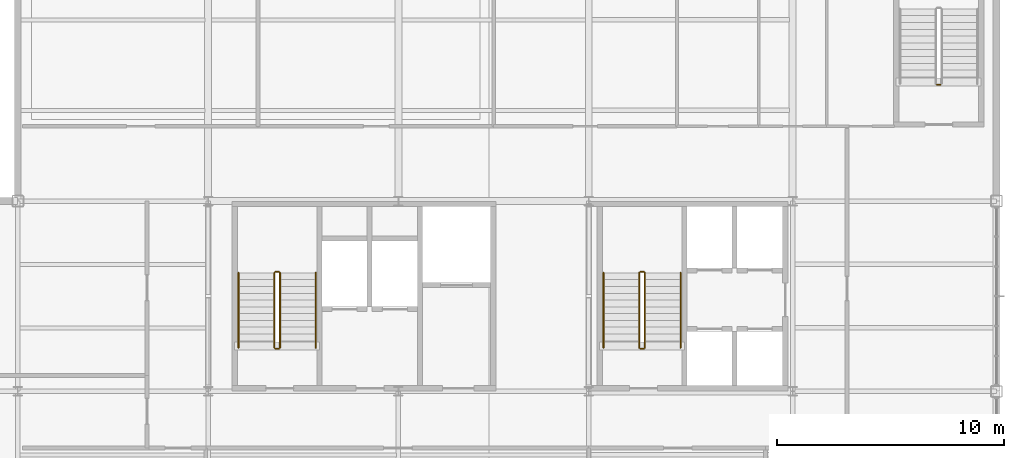
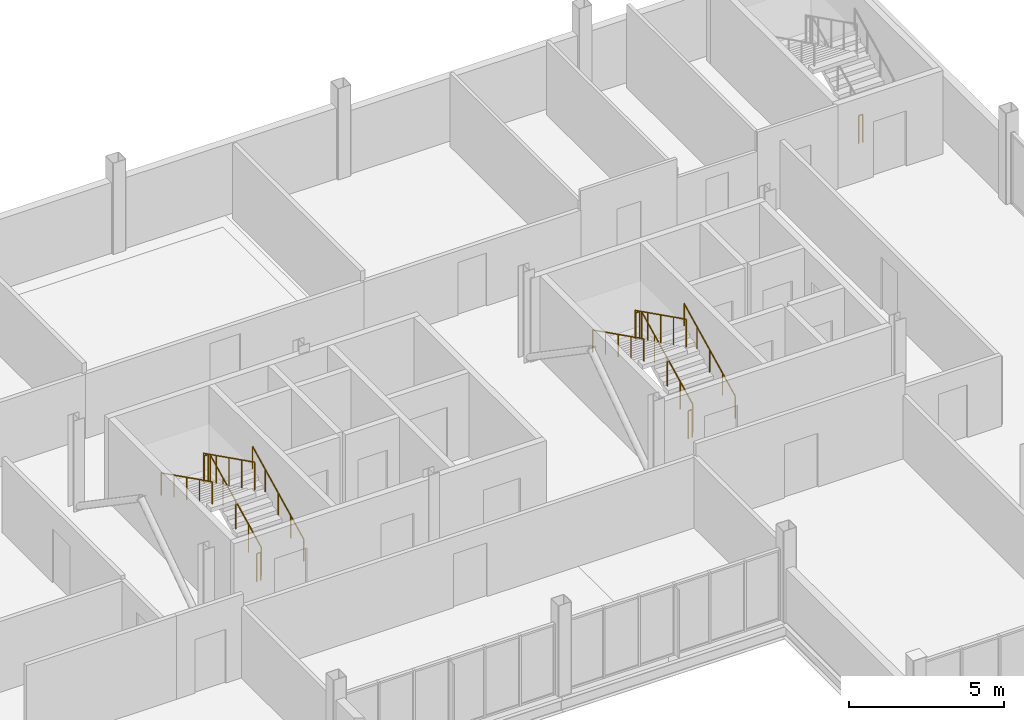
# One storey, part 17 of 19: 13 railings.
"""IFC4 building model written with IfcOpenShell, lengths in metres."""

from ifc_helpers import new_model, si_unit, direction, frame, origin, origin_2d, place, context, subcontext, project, spatial, circle, extrude, material, layer, layer_set, type_object, element, save


model = new_model("IFC4")

# Units and contexts
model_context = context("Model", 3, precision=1e-05, world=origin(), true_north=direction((0.0, 1.0)))
body_context = subcontext(model_context, "Body", "Model", "MODEL_VIEW")
ifc_project = project(units=[si_unit("LENGTHUNIT", "METRE"), si_unit("AREAUNIT", "SQUARE_METRE"), si_unit("VOLUMEUNIT", "CUBIC_METRE"), si_unit("PLANEANGLEUNIT", "RADIAN"), si_unit("MASSUNIT", "GRAM", prefix="KILO")], contexts=[model_context])

# Site, building, storey
site_placement = place(None, origin())
site = spatial("IfcSite", under=ifc_project, at=site_placement, CompositionType="ELEMENT")
building_placement = place(site_placement, origin())
building = spatial("IfcBuilding", under=site, at=building_placement, Name="Yukiwa Park Conservatory and Herbarium", CompositionType="ELEMENT")
storey_placement = place(building_placement, frame((0.0, 0.0, 31.800048828125)))
storey = spatial("IfcBuildingStorey", under=building, at=storey_placement, Name="L08", CompositionType="ELEMENT", Elevation=31.800048828125)

# Railings
ifc_material_1 = material(Name="Steel Q235B", Category="steel")
ifc_layer_1 = layer(ifc_material_1, 0.050048828125)
ifc_layer_set_1 = layer_set([ifc_layer_1], Name="Steel Q235B")
railing_type_1 = type_object("IfcRailingType", Name="RL-STAIR-GUARD-1120", PredefinedType="BALUSTRADE", material=ifc_layer_set_1)
railing_1_placement = place(storey_placement, frame((136.3701171875, 96.72998046875, 0.14990234375)))
element("IfcRailing", 1, at=railing_1_placement, inside=storey, type_object=railing_type_1, Name="L08 ST-T1 stair guard 1", PredefinedType="BALUSTRADE", context=body_context, shape_type="SweptSolid", body=[
    extrude(circle(Radius=0.02392578125, at=origin_2d()), frame((0.0, 0.0, 1.09619140625), z_axis=(0.0, 0.894413956696, 0.447240063129), x_axis=(-1.0, 0.0, 0.0)), (0.0, 0.0, 1.0), 3.689697265625),
    extrude(circle(Radius=0.02099609375, at=origin_2d()), origin(), (0.0, 0.0, 1.0), 1.072021484375),
    extrude(circle(Radius=0.02099609375, at=origin_2d()), frame((0.0, 0.824951171875, 0.41259765625)), (0.0, 0.0, 1.0), 1.072021484375),
    extrude(circle(Radius=0.02099609375, at=origin_2d()), frame((0.0, 1.64990234375, 0.8251953125)), (0.0, 0.0, 1.0), 1.072021484375),
    extrude(circle(Radius=0.02099609375, at=origin_2d()), frame((0.0, 2.47509765625, 1.237548828125)), (0.0, 0.0, 1.0), 1.072021484375),
    extrude(circle(Radius=0.02099609375, at=origin_2d()), frame((0.0, 3.300048828125, 1.650146484375)), (0.0, 0.0, 1.0), 1.072021484375),
])
railing_2_placement = place(storey_placement, frame((136.320068359375, 100.080078125, 1.800048828125)))
element("IfcRailing", 2, at=railing_2_placement, inside=storey, type_object=railing_type_1, Name="L08 ST-T1 stair guard 2", PredefinedType="BALUSTRADE", context=body_context, shape_type="SweptSolid", body=[
    extrude(circle(Radius=0.02392578125, at=origin_2d()), frame((0.0, 0.0, 1.09619140625), z_axis=(-1.0, 0.0, 0.0), x_axis=(0.0, -1.0, 0.0)), (0.0, 0.0, 1.0), 0.150146484375),
    extrude(circle(Radius=0.02099609375, at=origin_2d()), origin(), (0.0, 0.0, 1.0), 1.072021484375),
    extrude(circle(Radius=0.02099609375, at=origin_2d()), frame((-0.150146484375, 0.0, 0.0)), (0.0, 0.0, 1.0), 1.072021484375),
])
railing_3_placement = place(storey_placement, frame((136.1201171875, 100.030029296875, 1.949951171875)))
element("IfcRailing", 3, at=railing_3_placement, inside=storey, type_object=railing_type_1, Name="L08 ST-T1 stair guard 3", PredefinedType="BALUSTRADE", context=body_context, shape_type="SweptSolid", body=[
    extrude(circle(Radius=0.02392578125, at=origin_2d()), frame((0.0, 0.0, 1.09619140625), z_axis=(0.0, -0.894440424912, 0.447187126696), x_axis=(1.0, 0.0, 0.0)), (0.0, 0.0, 1.0), 3.689453125),
    extrude(circle(Radius=0.02099609375, at=origin_2d()), origin(), (0.0, 0.0, 1.0), 1.072021484375),
    extrude(circle(Radius=0.02099609375, at=origin_2d()), frame((0.0, -0.824951171875, 0.41259765625)), (0.0, 0.0, 1.0), 1.072021484375),
    extrude(circle(Radius=0.02099609375, at=origin_2d()), frame((0.0, -1.64990234375, 0.824951171875)), (0.0, 0.0, 1.0), 1.072021484375),
    extrude(circle(Radius=0.02099609375, at=origin_2d()), frame((0.0, -2.47509765625, 1.2373046875)), (0.0, 0.0, 1.0), 1.072021484375),
    extrude(circle(Radius=0.02099609375, at=origin_2d()), frame((0.0, -3.300048828125, 1.64990234375)), (0.0, 0.0, 1.0), 1.072021484375),
])
railing_4_placement = place(storey_placement, frame((136.320068359375, 96.679931640625, 0.0)))
element("IfcRailing", 4, at=railing_4_placement, inside=storey, type_object=railing_type_1, Name="L08 ST-T1 stair guard 4", PredefinedType="BALUSTRADE", context=body_context, shape_type="SweptSolid", body=[
    extrude(circle(Radius=0.02392578125, at=origin_2d()), frame((0.0, 0.0, 1.09619140625), z_axis=(-1.0, 0.0, 0.0), x_axis=(0.0, -1.0, 0.0)), (0.0, 0.0, 1.0), 0.150146484375),
    extrude(circle(Radius=0.02099609375, at=origin_2d()), origin(), (0.0, 0.0, 1.0), 1.072021484375),
    extrude(circle(Radius=0.02099609375, at=origin_2d()), frame((-0.150146484375, 0.0, 0.0)), (0.0, 0.0, 1.0), 1.072021484375),
])
railing_5_placement = place(storey_placement, frame((152.47998046875, 96.72998046875, 0.14990234375)))
element("IfcRailing", 5, at=railing_5_placement, inside=storey, type_object=railing_type_1, Name="L08 ST-T2 stair guard 1", PredefinedType="BALUSTRADE", context=body_context, shape_type="SweptSolid", body=[
    extrude(circle(Radius=0.02392578125, at=origin_2d()), frame((0.0, 0.0, 1.09619140625), z_axis=(0.0, 0.894413956696, 0.447240063129), x_axis=(-1.0, 0.0, 0.0)), (0.0, 0.0, 1.0), 3.689697265625),
    extrude(circle(Radius=0.02099609375, at=origin_2d()), origin(), (0.0, 0.0, 1.0), 1.072021484375),
    extrude(circle(Radius=0.02099609375, at=origin_2d()), frame((0.0, 0.824951171875, 0.41259765625)), (0.0, 0.0, 1.0), 1.072021484375),
    extrude(circle(Radius=0.02099609375, at=origin_2d()), frame((0.0, 1.64990234375, 0.8251953125)), (0.0, 0.0, 1.0), 1.072021484375),
    extrude(circle(Radius=0.02099609375, at=origin_2d()), frame((0.0, 2.47509765625, 1.237548828125)), (0.0, 0.0, 1.0), 1.072021484375),
    extrude(circle(Radius=0.02099609375, at=origin_2d()), frame((0.0, 3.300048828125, 1.650146484375)), (0.0, 0.0, 1.0), 1.072021484375),
])
railing_6_placement = place(storey_placement, frame((152.429931640625, 100.080078125, 1.800048828125)))
element("IfcRailing", 6, at=railing_6_placement, inside=storey, type_object=railing_type_1, Name="L08 ST-T2 stair guard 2", PredefinedType="BALUSTRADE", context=body_context, shape_type="SweptSolid", body=[
    extrude(circle(Radius=0.02392578125, at=origin_2d()), frame((0.0, 0.0, 1.09619140625), z_axis=(-1.0, 0.0, 0.0), x_axis=(0.0, -1.0, 0.0)), (0.0, 0.0, 1.0), 0.14990234375),
    extrude(circle(Radius=0.02099609375, at=origin_2d()), origin(), (0.0, 0.0, 1.0), 1.072021484375),
    extrude(circle(Radius=0.02099609375, at=origin_2d()), frame((-0.14990234375, 0.0, 0.0)), (0.0, 0.0, 1.0), 1.072021484375),
])
railing_7_placement = place(storey_placement, frame((152.22998046875, 100.030029296875, 1.949951171875)))
element("IfcRailing", 7, at=railing_7_placement, inside=storey, type_object=railing_type_1, Name="L08 ST-T2 stair guard 3", PredefinedType="BALUSTRADE", context=body_context, shape_type="SweptSolid", body=[
    extrude(circle(Radius=0.02392578125, at=origin_2d()), frame((0.0, 0.0, 1.09619140625), z_axis=(0.0, -0.894440424912, 0.447187126696), x_axis=(1.0, 0.0, 0.0)), (0.0, 0.0, 1.0), 3.689453125),
    extrude(circle(Radius=0.02099609375, at=origin_2d()), origin(), (0.0, 0.0, 1.0), 1.072021484375),
    extrude(circle(Radius=0.02099609375, at=origin_2d()), frame((0.0, -0.824951171875, 0.41259765625)), (0.0, 0.0, 1.0), 1.072021484375),
    extrude(circle(Radius=0.02099609375, at=origin_2d()), frame((0.0, -1.64990234375, 0.824951171875)), (0.0, 0.0, 1.0), 1.072021484375),
    extrude(circle(Radius=0.02099609375, at=origin_2d()), frame((0.0, -2.47509765625, 1.2373046875)), (0.0, 0.0, 1.0), 1.072021484375),
    extrude(circle(Radius=0.02099609375, at=origin_2d()), frame((0.0, -3.300048828125, 1.64990234375)), (0.0, 0.0, 1.0), 1.072021484375),
])
for number, where, name in (
    (8, (152.429931640625, 96.679931640625, 0.0), "L08 ST-T2 stair guard 4"),
    (9, (165.52001953125, 108.330078125, 0.0), "L08 ST-T3 stair guard 4"),
):
    element("IfcRailing", number, at=place(storey_placement, frame(where)), inside=storey, type_object=railing_type_1, Name=name, PredefinedType="BALUSTRADE", context=body_context, shape_type="SweptSolid", body=[
        extrude(circle(Radius=0.02392578125, at=origin_2d()), frame((0.0, 0.0, 1.09619140625), z_axis=(-1.0, 0.0, 0.0), x_axis=(0.0, -1.0, 0.0)), (0.0, 0.0, 1.0), 0.14990234375),
        extrude(circle(Radius=0.02099609375, at=origin_2d()), origin(), (0.0, 0.0, 1.0), 1.072021484375),
        extrude(circle(Radius=0.02099609375, at=origin_2d()), frame((-0.14990234375, 0.0, 0.0)), (0.0, 0.0, 1.0), 1.072021484375),
    ])
ifc_material_2 = material(Name="Steel Q235B", Category="steel")
ifc_layer_2 = layer(ifc_material_2, 0.044921875)
ifc_layer_set_2 = layer_set([ifc_layer_2], Name="Steel Q235B")
railing_type_2 = type_object("IfcRailingType", Name="RL-STAIR-RAIL-900", PredefinedType="HANDRAIL", material=ifc_layer_set_2)
railing_8_placement = place(storey_placement, frame((137.949951171875, 96.72998046875, 0.14990234375)))
element("IfcRailing", 10, at=railing_8_placement, inside=storey, type_object=railing_type_2, Name="L08 ST-T1 stair handrail 1", PredefinedType="HANDRAIL", context=body_context, shape_type="SweptSolid", body=[
    extrude(circle(Radius=0.02392578125, at=origin_2d()), frame((0.0, 0.0, 0.8759765625), z_axis=(0.0, 0.894413956696, 0.447240063129), x_axis=(-1.0, 0.0, 0.0)), (0.0, 0.0, 1.0), 3.689697265625),
    extrude(circle(Radius=0.02099609375, at=origin_2d()), origin(), (0.0, 0.0, 1.0), 0.851806640625),
    extrude(circle(Radius=0.02099609375, at=origin_2d()), frame((0.0, 0.824951171875, 0.41259765625)), (0.0, 0.0, 1.0), 0.851806640625),
    extrude(circle(Radius=0.02099609375, at=origin_2d()), frame((0.0, 1.64990234375, 0.8251953125)), (0.0, 0.0, 1.0), 0.851806640625),
    extrude(circle(Radius=0.02099609375, at=origin_2d()), frame((0.0, 2.47509765625, 1.237548828125)), (0.0, 0.0, 1.0), 0.851806640625),
    extrude(circle(Radius=0.02099609375, at=origin_2d()), frame((0.0, 3.300048828125, 1.650146484375)), (0.0, 0.0, 1.0), 0.851806640625),
])
railing_9_placement = place(storey_placement, frame((134.5400390625, 100.030029296875, 1.949951171875)))
element("IfcRailing", 11, at=railing_9_placement, inside=storey, type_object=railing_type_2, Name="L08 ST-T1 stair handrail 2", PredefinedType="HANDRAIL", context=body_context, shape_type="SweptSolid", body=[
    extrude(circle(Radius=0.02392578125, at=origin_2d()), frame((0.0, 0.0, 0.8759765625), z_axis=(0.0, -0.894440424912, 0.447187126696), x_axis=(1.0, 0.0, 0.0)), (0.0, 0.0, 1.0), 3.689453125),
    extrude(circle(Radius=0.02099609375, at=origin_2d()), origin(), (0.0, 0.0, 1.0), 0.851806640625),
    extrude(circle(Radius=0.02099609375, at=origin_2d()), frame((0.0, -0.824951171875, 0.41259765625)), (0.0, 0.0, 1.0), 0.851806640625),
    extrude(circle(Radius=0.02099609375, at=origin_2d()), frame((0.0, -1.64990234375, 0.824951171875)), (0.0, 0.0, 1.0), 0.851806640625),
    extrude(circle(Radius=0.02099609375, at=origin_2d()), frame((0.0, -2.47509765625, 1.2373046875)), (0.0, 0.0, 1.0), 0.851806640625),
    extrude(circle(Radius=0.02099609375, at=origin_2d()), frame((0.0, -3.300048828125, 1.64990234375)), (0.0, 0.0, 1.0), 0.851806640625),
])
railing_10_placement = place(storey_placement, frame((154.06005859375, 96.72998046875, 0.14990234375)))
element("IfcRailing", 12, at=railing_10_placement, inside=storey, type_object=railing_type_2, Name="L08 ST-T2 stair handrail 1", PredefinedType="HANDRAIL", context=body_context, shape_type="SweptSolid", body=[
    extrude(circle(Radius=0.02392578125, at=origin_2d()), frame((0.0, 0.0, 0.8759765625), z_axis=(0.0, 0.894413956696, 0.447240063129), x_axis=(-1.0, 0.0, 0.0)), (0.0, 0.0, 1.0), 3.689697265625),
    extrude(circle(Radius=0.02099609375, at=origin_2d()), origin(), (0.0, 0.0, 1.0), 0.851806640625),
    extrude(circle(Radius=0.02099609375, at=origin_2d()), frame((0.0, 0.824951171875, 0.41259765625)), (0.0, 0.0, 1.0), 0.851806640625),
    extrude(circle(Radius=0.02099609375, at=origin_2d()), frame((0.0, 1.64990234375, 0.8251953125)), (0.0, 0.0, 1.0), 0.851806640625),
    extrude(circle(Radius=0.02099609375, at=origin_2d()), frame((0.0, 2.47509765625, 1.237548828125)), (0.0, 0.0, 1.0), 0.851806640625),
    extrude(circle(Radius=0.02099609375, at=origin_2d()), frame((0.0, 3.300048828125, 1.650146484375)), (0.0, 0.0, 1.0), 0.851806640625),
])
railing_11_placement = place(storey_placement, frame((150.64990234375, 100.030029296875, 1.949951171875)))
element("IfcRailing", 13, at=railing_11_placement, inside=storey, type_object=railing_type_2, Name="L08 ST-T2 stair handrail 2", PredefinedType="HANDRAIL", context=body_context, shape_type="SweptSolid", body=[
    extrude(circle(Radius=0.02392578125, at=origin_2d()), frame((0.0, 0.0, 0.8759765625), z_axis=(0.0, -0.894440424912, 0.447187126696), x_axis=(1.0, 0.0, 0.0)), (0.0, 0.0, 1.0), 3.689453125),
    extrude(circle(Radius=0.02099609375, at=origin_2d()), origin(), (0.0, 0.0, 1.0), 0.851806640625),
    extrude(circle(Radius=0.02099609375, at=origin_2d()), frame((0.0, -0.824951171875, 0.41259765625)), (0.0, 0.0, 1.0), 0.851806640625),
    extrude(circle(Radius=0.02099609375, at=origin_2d()), frame((0.0, -1.64990234375, 0.824951171875)), (0.0, 0.0, 1.0), 0.851806640625),
    extrude(circle(Radius=0.02099609375, at=origin_2d()), frame((0.0, -2.47509765625, 1.2373046875)), (0.0, 0.0, 1.0), 0.851806640625),
    extrude(circle(Radius=0.02099609375, at=origin_2d()), frame((0.0, -3.300048828125, 1.64990234375)), (0.0, 0.0, 1.0), 0.851806640625),
])

save(model, "model.ifc")
